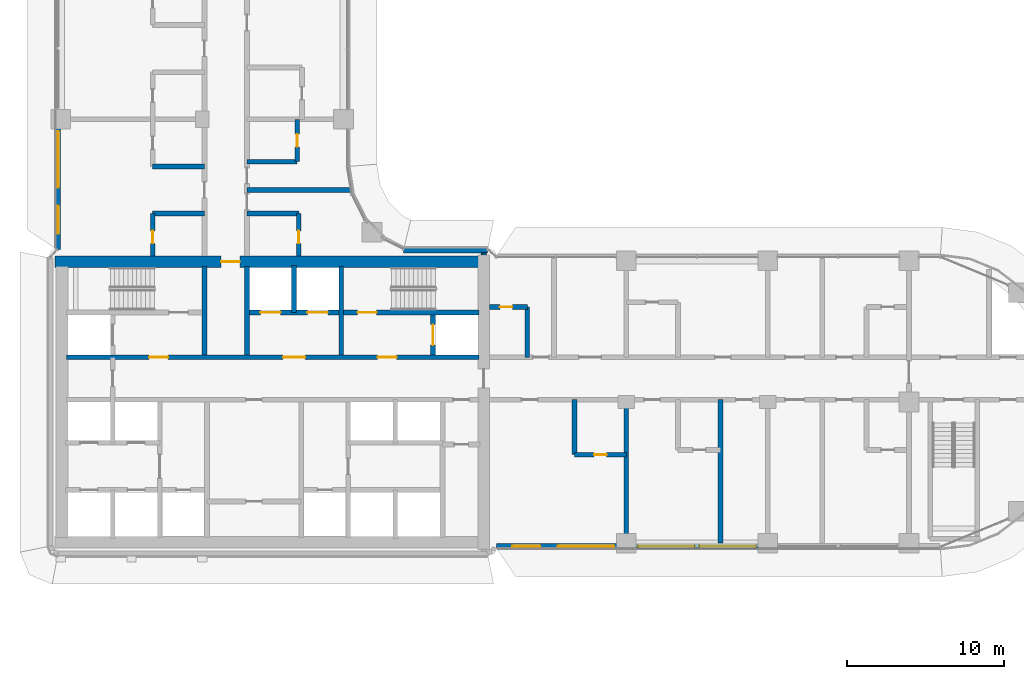
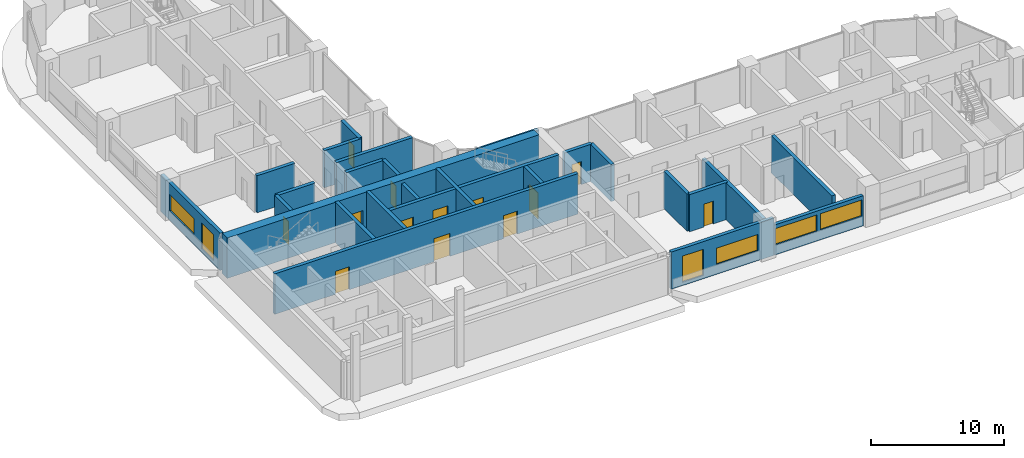
# One storey, part 16 of 33: 27 walls, 13 doors, 6 windows, 19 openings.
"""IFC4 building model written with IfcOpenShell, lengths in metres."""

from ifc_helpers import new_model, si_unit, direction, frame, frame_2d, origin, place, context, subcontext, project, spatial, rectangle, extrude, material, layer, layer_set, type_object, element, fill, save


model = new_model("IFC4")

# Units and contexts
model_context = context("Model", 3, precision=1e-05, world=origin(), true_north=direction((0.0, 1.0)))
body_context = subcontext(model_context, "Body", "Model", "MODEL_VIEW")
ifc_project = project(units=[si_unit("LENGTHUNIT", "METRE"), si_unit("AREAUNIT", "SQUARE_METRE"), si_unit("VOLUMEUNIT", "CUBIC_METRE"), si_unit("PLANEANGLEUNIT", "RADIAN"), si_unit("MASSUNIT", "GRAM", prefix="KILO")], contexts=[model_context])

# Site, building, storey
site_placement = place(None, origin())
site = spatial("IfcSite", under=ifc_project, at=site_placement, CompositionType="ELEMENT")
building_placement = place(site_placement, origin())
building = spatial("IfcBuilding", under=site, at=building_placement, Name="Ogive Portal Towers", CompositionType="ELEMENT")
storey_placement = place(building_placement, frame((0.0, 0.0, 98.199951171875)))
storey = spatial("IfcBuildingStorey", under=building, at=storey_placement, Name="L23", CompositionType="ELEMENT", Elevation=98.199951171875)

# Wall, openings, doors
ifc_material_1 = material(Name="Concrete C60/75", Category="concrete")
ifc_layer_1 = layer(ifc_material_1, 0.300048828125)
ifc_layer_set_1 = layer_set([ifc_layer_1], Name="CORE WALL 300 C60")
wall_type_1 = type_object("IfcWallType", Name="CORE WALL 300 C60", PredefinedType="SHEAR", material=ifc_layer_set_1)
wall_1_placement = place(storey_placement, frame((31.875, 33.35009765625, 0.0), z_axis=(0.0, 0.0, 1.0), x_axis=(1.0, 0.0, 0.0)))
wall_1 = element("IfcWall", 1, at=wall_1_placement, inside=storey, type_object=wall_type_1, Name="Core wall Y2 L23", PredefinedType="SHEAR", context=body_context, shape_type="SweptSolid", body=[
    extrude(rectangle(XDim=26.25, YDim=0.300048828125, at=frame_2d((13.125, 0.0))), origin(), (0.0, 0.0, 1.0), 3.699951171875),
])
opening_1_placement = place(wall_1_placement, frame((13.77490234375, 0.0, 0.0)))
opening_1 = element("IfcOpeningElement", 2, at=opening_1_placement, cuts=wall_1, Name="Opening D08-002", PredefinedType="OPENING", context=body_context, shape_type="SweptSolid", body=[
    extrude(rectangle(XDim=1.39990234375, YDim=2.10009765625, at=frame_2d((0.699951171875, 1.050048828125))), frame((0.0, 0.16015625, 0.0), z_axis=(0.0, -1.0, 0.0), x_axis=(1.0, 0.0, 0.0)), (0.0, 0.0, 1.0), 0.320068359375),
])
opening_2_placement = place(wall_1_placement, frame((5.25, 0.0, 0.0)))
opening_2 = element("IfcOpeningElement", 3, at=opening_2_placement, cuts=wall_1, Name="Opening D08-003", PredefinedType="OPENING", context=body_context, shape_type="SweptSolid", body=[
    extrude(rectangle(XDim=1.199951171875, YDim=2.10009765625, at=frame_2d((0.60009765625, 1.050048828125))), frame((0.0, 0.16015625, 0.0), z_axis=(0.0, -1.0, 0.0), x_axis=(1.0, 0.0, 0.0)), (0.0, 0.0, 1.0), 0.320068359375),
])
opening_3_placement = place(wall_1_placement, frame((19.800048828125, 0.0, 0.0)))
opening_3 = element("IfcOpeningElement", 4, at=opening_3_placement, cuts=wall_1, Name="Opening D08-004", PredefinedType="OPENING", context=body_context, shape_type="SweptSolid", body=[
    extrude(rectangle(XDim=1.199951171875, YDim=2.10009765625, at=frame_2d((0.60009765625, 1.050048828125))), frame((0.0, 0.16015625, 0.0), z_axis=(0.0, -1.0, 0.0), x_axis=(1.0, 0.0, 0.0)), (0.0, 0.0, 1.0), 0.320068359375),
])
ifc_material_2 = material(Name="Steel fire door", Category="steel")
door_type_1 = type_object("IfcDoorType", Name="DT-SWING-1200x2100-FD90S", OperationType="SINGLE_SWING_LEFT", PredefinedType="DOOR", material=ifc_material_2)
door_1_placement = place(opening_2_placement, origin())
door_1 = element("IfcDoor", 5, at=door_1_placement, inside=storey, type_object=door_type_1, Name="Door D08-003", OperationType="SINGLE_SWING_LEFT", OverallHeight=2.10009765625, OverallWidth=1.199951171875, PredefinedType="DOOR", context=body_context, shape_type="SweptSolid", body=[
    extrude(rectangle(XDim=1.199951171875, YDim=2.10009765625, at=frame_2d((0.60009765625, 1.050048828125))), frame((0.0, 0.02490234375, 0.0), z_axis=(0.0, -1.0, 0.0), x_axis=(1.0, 0.0, 0.0)), (0.0, 0.0, 1.0), 0.050048828125),
])
fill(opening_2, door_1)
door_2_placement = place(opening_3_placement, origin())
door_2 = element("IfcDoor", 6, at=door_2_placement, inside=storey, type_object=door_type_1, Name="Door D08-004", OperationType="SINGLE_SWING_RIGHT", OverallHeight=2.10009765625, OverallWidth=1.199951171875, PredefinedType="DOOR", context=body_context, shape_type="SweptSolid", body=[
    extrude(rectangle(XDim=1.199951171875, YDim=2.10009765625, at=frame_2d((0.60009765625, 1.050048828125))), frame((0.0, 0.02490234375, 0.0), z_axis=(0.0, -1.0, 0.0), x_axis=(1.0, 0.0, 0.0)), (0.0, 0.0, 1.0), 0.050048828125),
])
fill(opening_3, door_2)
door_type_2 = type_object("IfcDoorType", Name="DT-SWING-1400x2100-FD90S", OperationType="SINGLE_SWING_LEFT", PredefinedType="DOOR", material=ifc_material_2)
door_3_placement = place(opening_1_placement, origin())
door_3 = element("IfcDoor", 7, at=door_3_placement, inside=storey, type_object=door_type_2, Name="Door D08-002", OperationType="SINGLE_SWING_RIGHT", OverallHeight=2.10009765625, OverallWidth=1.39990234375, PredefinedType="DOOR", context=body_context, shape_type="SweptSolid", body=[
    extrude(rectangle(XDim=1.39990234375, YDim=2.10009765625, at=frame_2d((0.699951171875, 1.050048828125))), frame((0.0, 0.02490234375, 0.0), z_axis=(0.0, -1.0, 0.0), x_axis=(1.0, 0.0, 0.0)), (0.0, 0.0, 1.0), 0.050048828125),
])
fill(opening_1, door_3)

wall_2_placement = place(storey_placement, frame((43.5, 36.199951171875, 0.0), z_axis=(0.0, 0.0, 1.0), x_axis=(1.0, 0.0, 0.0)))
wall_2 = element("IfcWall", 8, at=wall_2_placement, inside=storey, type_object=wall_type_1, Name="Core wall Y3b L23", PredefinedType="SHEAR", context=body_context, shape_type="SweptSolid", body=[
    extrude(rectangle(XDim=14.625, YDim=0.300048828125, at=frame_2d((7.3125, 0.0))), origin(), (0.0, 0.0, 1.0), 3.699951171875),
])
opening_4_placement = place(wall_2_placement, frame((6.89990234375, 0.0, 0.0)))
opening_4 = element("IfcOpeningElement", 9, at=opening_4_placement, cuts=wall_2, Name="Opening D08-006", PredefinedType="OPENING", context=body_context, shape_type="SweptSolid", body=[
    extrude(rectangle(XDim=1.199951171875, YDim=2.10009765625, at=frame_2d((0.60009765625, 1.050048828125))), frame((0.0, 0.16015625, 0.0), z_axis=(0.0, -1.0, 0.0), x_axis=(1.0, 0.0, 0.0)), (0.0, 0.0, 1.0), 0.320068359375),
])
opening_5_placement = place(wall_2_placement, frame((0.699951171875, 0.0, 0.0)))
opening_5 = element("IfcOpeningElement", 10, at=opening_5_placement, cuts=wall_2, Name="Opening D08-017", PredefinedType="OPENING", context=body_context, shape_type="SweptSolid", body=[
    extrude(rectangle(XDim=1.300048828125, YDim=2.39990234375, at=frame_2d((0.64990234375, 1.199951171875))), frame((0.0, 0.16015625, 0.0), z_axis=(0.0, -1.0, 0.0), x_axis=(1.0, 0.0, 0.0)), (0.0, 0.0, 1.0), 0.320068359375),
])
opening_6_placement = place(wall_2_placement, frame((3.699951171875, 0.0, 0.0)))
opening_6 = element("IfcOpeningElement", 11, at=opening_6_placement, cuts=wall_2, Name="Opening D08-018", PredefinedType="OPENING", context=body_context, shape_type="SweptSolid", body=[
    extrude(rectangle(XDim=1.300048828125, YDim=2.39990234375, at=frame_2d((0.64990234375, 1.199951171875))), frame((0.0, 0.16015625, 0.0), z_axis=(0.0, -1.0, 0.0), x_axis=(1.0, 0.0, 0.0)), (0.0, 0.0, 1.0), 0.320068359375),
])
ifc_material_3 = material(Name="Stainless steel", Category="steel")
door_type_3 = type_object("IfcDoorType", Name="DT-LD-1300x2400", OperationType="SLIDING_TO_LEFT", PredefinedType="DOOR", material=ifc_material_3)
door_4_placement = place(opening_5_placement, origin())
door_4 = element("IfcDoor", 12, at=door_4_placement, inside=storey, type_object=door_type_3, Name="Door D08-017", OperationType="SLIDING_TO_LEFT", OverallHeight=2.39990234375, OverallWidth=1.300048828125, PredefinedType="DOOR", context=body_context, shape_type="SweptSolid", body=[
    extrude(rectangle(XDim=1.300048828125, YDim=2.39990234375, at=frame_2d((0.64990234375, 1.199951171875))), frame((0.0, 0.02490234375, 0.0), z_axis=(0.0, -1.0, 0.0), x_axis=(1.0, 0.0, 0.0)), (0.0, 0.0, 1.0), 0.050048828125),
])
fill(opening_5, door_4)
door_5_placement = place(opening_6_placement, origin())
door_5 = element("IfcDoor", 13, at=door_5_placement, inside=storey, type_object=door_type_3, Name="Door D08-018", OperationType="SLIDING_TO_LEFT", OverallHeight=2.39990234375, OverallWidth=1.300048828125, PredefinedType="DOOR", context=body_context, shape_type="SweptSolid", body=[
    extrude(rectangle(XDim=1.300048828125, YDim=2.39990234375, at=frame_2d((0.64990234375, 1.199951171875))), frame((0.0, 0.02490234375, 0.0), z_axis=(0.0, -1.0, 0.0), x_axis=(1.0, 0.0, 0.0)), (0.0, 0.0, 1.0), 0.050048828125),
])
fill(opening_6, door_5)
door_6_placement = place(opening_4_placement, origin())
door_6 = element("IfcDoor", 14, at=door_6_placement, inside=storey, type_object=door_type_1, Name="Door D08-006", OperationType="SINGLE_SWING_LEFT", OverallHeight=2.10009765625, OverallWidth=1.199951171875, PredefinedType="DOOR", context=body_context, shape_type="SweptSolid", body=[
    extrude(rectangle(XDim=1.199951171875, YDim=2.10009765625, at=frame_2d((0.60009765625, 1.050048828125))), frame((0.0, 0.02490234375, 0.0), z_axis=(0.0, -1.0, 0.0), x_axis=(1.0, 0.0, 0.0)), (0.0, 0.0, 1.0), 0.050048828125),
])
fill(opening_4, door_6)

# Walls
for number, where, z_axis, x_axis, name in (
    (15, (40.64990234375, 33.5, 0.0), (0.0, 0.0, 1.0), (0.0, 1.0, 0.0), "Core wall X6 L23"),
    (16, (43.35009765625, 33.5, 0.0), (0.0, 0.0, 1.0), (0.0, 1.0, 0.0), "Core wall X7 L23"),
    (17, (49.35009765625, 33.5, 0.0), (0.0, 0.0, 1.0), (0.0, 1.0, 0.0), "Core wall X9 L23"),
):
    element("IfcWall", number, at=place(storey_placement, frame(where, z_axis=z_axis, x_axis=x_axis)), inside=storey, type_object=wall_type_1, Name=name, PredefinedType="SHEAR", context=body_context, shape_type="SweptSolid", body=[
        extrude(rectangle(XDim=5.625, YDim=0.300048828125, at=frame_2d((2.8125, 0.0))), origin(), (0.0, 0.0, 1.0), 3.699951171875),
    ])

# Wall, opening, door
wall_3_placement = place(storey_placement, frame((55.199951171875, 33.5, 0.0), z_axis=(0.0, 0.0, 1.0), x_axis=(0.0, 1.0, 0.0)))
wall_3 = element("IfcWall", 18, at=wall_3_placement, inside=storey, type_object=wall_type_1, Name="Core wall X10 L23", PredefinedType="SHEAR", context=body_context, shape_type="SweptSolid", body=[
    extrude(rectangle(XDim=2.550048828125, YDim=0.300048828125, at=frame_2d((1.27490234375, 0.0))), origin(), (0.0, 0.0, 1.0), 3.699951171875),
])
opening_7_placement = place(wall_3_placement, frame((0.625, 0.0, 0.0)))
opening_7 = element("IfcOpeningElement", 19, at=opening_7_placement, cuts=wall_3, Name="Opening D08-020", PredefinedType="OPENING", context=body_context, shape_type="SweptSolid", body=[
    extrude(rectangle(XDim=1.300048828125, YDim=2.39990234375, at=frame_2d((0.64990234375, 1.199951171875))), frame((0.0, 0.16015625, 0.0), z_axis=(0.0, -1.0, 0.0), x_axis=(1.0, 0.0, 0.0)), (0.0, 0.0, 1.0), 0.320068359375),
])
door_7_placement = place(opening_7_placement, origin())
door_7 = element("IfcDoor", 20, at=door_7_placement, inside=storey, type_object=door_type_3, Name="Door D08-020", OperationType="SLIDING_TO_LEFT", OverallHeight=2.39990234375, OverallWidth=1.300048828125, PredefinedType="DOOR", context=body_context, shape_type="SweptSolid", body=[
    extrude(rectangle(XDim=1.300048828125, YDim=2.39990234375, at=frame_2d((0.64990234375, 1.199951171875))), frame((0.0, 0.02490234375, 0.0), z_axis=(0.0, -1.0, 0.0), x_axis=(1.0, 0.0, 0.0)), (0.0, 0.0, 1.0), 0.050048828125),
])
fill(opening_7, door_7)

ifc_layer_2 = layer(ifc_material_1, 0.75)
ifc_layer_set_2 = layer_set([ifc_layer_2], Name="CORE WALL 750 C60")
wall_type_2 = type_object("IfcWallType", Name="CORE WALL 750 C60", PredefinedType="SHEAR", material=ifc_layer_set_2)
wall_4_placement = place(storey_placement, frame((31.125, 39.425048828125, 0.0), z_axis=(0.0, 0.0, 1.0), x_axis=(1.0, 0.0, 0.0)))
wall_4 = element("IfcWall", 21, at=wall_4_placement, inside=storey, type_object=wall_type_2, Name="Core wall N L23", PredefinedType="SHEAR", context=body_context, shape_type="SweptSolid", body=[
    extrude(rectangle(XDim=27.0, YDim=0.75, at=frame_2d((13.5, 0.0))), origin(), (0.0, 0.0, 1.0), 3.699951171875),
])
opening_8_placement = place(wall_4_placement, frame((10.574951171875, 0.0, 0.0)))
opening_8 = element("IfcOpeningElement", 22, at=opening_8_placement, cuts=wall_4, Name="Opening D08-012", PredefinedType="OPENING", context=body_context, shape_type="SweptSolid", body=[
    extrude(rectangle(XDim=1.199951171875, YDim=2.10009765625, at=frame_2d((0.60009765625, 1.050048828125))), frame((0.0, 0.385009765625, 0.0), z_axis=(0.0, -1.0, 0.0), x_axis=(1.0, 0.0, 0.0)), (0.0, 0.0, 1.0), 0.77001953125),
])
door_8_placement = place(opening_8_placement, origin())
door_8 = element("IfcDoor", 23, at=door_8_placement, inside=storey, type_object=door_type_1, Name="Door D08-012", OperationType="SINGLE_SWING_RIGHT", OverallHeight=2.10009765625, OverallWidth=1.199951171875, PredefinedType="DOOR", context=body_context, shape_type="SweptSolid", body=[
    extrude(rectangle(XDim=1.199951171875, YDim=2.10009765625, at=frame_2d((0.60009765625, 1.050048828125))), frame((0.0, 0.02490234375, 0.0), z_axis=(0.0, -1.0, 0.0), x_axis=(1.0, 0.0, 0.0)), (0.0, 0.0, 1.0), 0.050048828125),
])
fill(opening_8, door_8)

# Wall
ifc_material_4 = material(Name="Limestone cladding on lightweight block wall", Category="masonry")
ifc_layer_3 = layer(ifc_material_4, 0.300048828125)
ifc_layer_set_3 = layer_set([ifc_layer_3], Name="EXTERNAL WALL 300 STONE")
wall_type_3 = type_object("IfcWallType", Name="EXTERNAL WALL 300 STONE", PredefinedType="SOLIDWALL", material=ifc_layer_set_3)
wall_5_placement = place(storey_placement, frame((58.669921875, 40.14990234375, 0.0), z_axis=(0.0, 0.0, 1.0), x_axis=(-1.0, 0.0, 0.0)))
element("IfcWall", 24, at=wall_5_placement, inside=storey, type_object=wall_type_3, Name="A:L23:f01:r0:wall", PredefinedType="SOLIDWALL", context=body_context, shape_type="SweptSolid", body=[
    extrude(rectangle(XDim=5.3408203125, YDim=0.300048828125, at=frame_2d((2.67041015625, 0.0))), origin(), (0.0, 0.0, 1.0), 3.400146484375),
])

# Wall, openings, windows
wall_6_placement = place(storey_placement, frame((31.330078125, 49.125, 0.0), z_axis=(0.0, 0.0, 1.0), x_axis=(0.0, -1.0, 0.0)))
wall_6 = element("IfcWall", 25, at=wall_6_placement, inside=storey, type_object=wall_type_3, Name="A:L23:f12:r0:wall4", PredefinedType="SOLIDWALL", context=body_context, shape_type="SweptSolid", body=[
    extrude(rectangle(XDim=8.90478515625, YDim=0.300048828125, at=frame_2d((4.452392578125, 0.0))), origin(), (0.0, 0.0, 1.0), 3.400146484375),
])
opening_9_placement = place(wall_6_placement, frame((1.375, 0.0, 0.89990234375)))
opening_9 = element("IfcOpeningElement", 26, at=opening_9_placement, cuts=wall_6, Name="Opening WN12", PredefinedType="OPENING", context=body_context, shape_type="SweptSolid", body=[
    extrude(rectangle(XDim=3.60009765625, YDim=1.5, at=frame_2d((1.800048828125, 0.75))), frame((0.0, 0.16015625, 0.0), z_axis=(0.0, -1.0, 0.0), x_axis=(1.0, 0.0, 0.0)), (0.0, 0.0, 1.0), 0.320068359375),
])
opening_10_placement = place(wall_6_placement, frame((6.11474609375, 0.0, 0.300048828125)))
opening_10 = element("IfcOpeningElement", 27, at=opening_10_placement, cuts=wall_6, Name="Opening WN10", PredefinedType="OPENING", context=body_context, shape_type="SweptSolid", body=[
    extrude(rectangle(XDim=1.800048828125, YDim=2.39990234375, at=frame_2d((0.89990234375, 1.199951171875))), frame((0.0, 0.16015625, 0.0), z_axis=(0.0, -1.0, 0.0), x_axis=(1.0, 0.0, 0.0)), (0.0, 0.0, 1.0), 0.320068359375),
])
ifc_material_5 = material(Name="Glass, clear low-iron insulated glazing", Category="glass")
window_type_1 = type_object("IfcWindowType", Name="WINDOW RIBBON 3600x1500", PartitioningType="TRIPLE_PANEL_VERTICAL", PredefinedType="WINDOW", material=ifc_material_5)
window_1_placement = place(opening_9_placement, origin())
window_1 = element("IfcWindow", 28, at=window_1_placement, inside=storey, type_object=window_type_1, Name="A:L23:f12:r0:w4", OverallHeight=1.5, OverallWidth=3.60009765625, PartitioningType="SINGLE_PANEL", PredefinedType="WINDOW", context=body_context, shape_type="SweptSolid", body=[
    extrude(rectangle(XDim=3.60009765625, YDim=1.5, at=frame_2d((1.800048828125, 0.75))), frame((0.0, 0.030029296875, 0.0), z_axis=(0.0, -1.0, 0.0), x_axis=(1.0, 0.0, 0.0)), (0.0, 0.0, 1.0), 0.06005859375),
])
fill(opening_9, window_1)
window_type_2 = type_object("IfcWindowType", Name="WINDOW SUITE CORNER 1800x2400", PartitioningType="DOUBLE_PANEL_VERTICAL", PredefinedType="WINDOW", material=ifc_material_5)
window_2_placement = place(opening_10_placement, origin())
window_2 = element("IfcWindow", 29, at=window_2_placement, inside=storey, type_object=window_type_2, Name="A:L23:f12:r0:w5", OverallHeight=2.39990234375, OverallWidth=1.800048828125, PartitioningType="SINGLE_PANEL", PredefinedType="WINDOW", context=body_context, shape_type="SweptSolid", body=[
    extrude(rectangle(XDim=1.800048828125, YDim=2.39990234375, at=frame_2d((0.89990234375, 1.199951171875))), frame((0.0, 0.030029296875, 0.0), z_axis=(0.0, -1.0, 0.0), x_axis=(1.0, 0.0, 0.0)), (0.0, 0.0, 1.0), 0.06005859375),
])
fill(opening_10, window_2)

wall_7_placement = place(storey_placement, frame((59.250244140625, 21.330078125, 0.0), z_axis=(0.0, 0.0, 1.0), x_axis=(1.0, 0.0, 0.0)))
wall_7 = element("IfcWall", 30, at=wall_7_placement, inside=storey, type_object=wall_type_3, Name="A:L23:f20:r0:wall", PredefinedType="SOLIDWALL", context=body_context, shape_type="SweptSolid", body=[
    extrude(rectangle(XDim=8.874755859375, YDim=0.300048828125, at=frame_2d((4.4375, 0.0))), origin(), (0.0, 0.0, 1.0), 3.400146484375),
])
opening_11_placement = place(wall_7_placement, frame((0.974853515625, 0.0, 0.300048828125)))
opening_11 = element("IfcOpeningElement", 31, at=opening_11_placement, cuts=wall_7, Name="Opening WN10", PredefinedType="OPENING", context=body_context, shape_type="SweptSolid", body=[
    extrude(rectangle(XDim=1.800048828125, YDim=2.39990234375, at=frame_2d((0.89990234375, 1.199951171875))), frame((0.0, 0.16015625, 0.0), z_axis=(0.0, -1.0, 0.0), x_axis=(1.0, 0.0, 0.0)), (0.0, 0.0, 1.0), 0.320068359375),
])
opening_12_placement = place(wall_7_placement, frame((3.899658203125, 0.0, 0.89990234375)))
opening_12 = element("IfcOpeningElement", 32, at=opening_12_placement, cuts=wall_7, Name="Opening WN12", PredefinedType="OPENING", context=body_context, shape_type="SweptSolid", body=[
    extrude(rectangle(XDim=3.60009765625, YDim=1.5, at=frame_2d((1.800048828125, 0.75))), frame((0.0, 0.16015625, 0.0), z_axis=(0.0, -1.0, 0.0), x_axis=(1.0, 0.0, 0.0)), (0.0, 0.0, 1.0), 0.320068359375),
])
window_3_placement = place(opening_12_placement, origin())
window_3 = element("IfcWindow", 33, at=window_3_placement, inside=storey, type_object=window_type_1, Name="A:L23:f20:r0:w1", OverallHeight=1.5, OverallWidth=3.60009765625, PartitioningType="SINGLE_PANEL", PredefinedType="WINDOW", context=body_context, shape_type="SweptSolid", body=[
    extrude(rectangle(XDim=3.60009765625, YDim=1.5, at=frame_2d((1.800048828125, 0.75))), frame((0.0, 0.030029296875, 0.0), z_axis=(0.0, -1.0, 0.0), x_axis=(1.0, 0.0, 0.0)), (0.0, 0.0, 1.0), 0.06005859375),
])
fill(opening_12, window_3)
window_4_placement = place(opening_11_placement, origin())
window_4 = element("IfcWindow", 34, at=window_4_placement, inside=storey, type_object=window_type_2, Name="A:L23:f20:r0:w0", OverallHeight=2.39990234375, OverallWidth=1.800048828125, PartitioningType="SINGLE_PANEL", PredefinedType="WINDOW", context=body_context, shape_type="SweptSolid", body=[
    extrude(rectangle(XDim=1.800048828125, YDim=2.39990234375, at=frame_2d((0.89990234375, 1.199951171875))), frame((0.0, 0.030029296875, 0.0), z_axis=(0.0, -1.0, 0.0), x_axis=(1.0, 0.0, 0.0)), (0.0, 0.0, 1.0), 0.06005859375),
])
fill(opening_11, window_4)

wall_8_placement = place(storey_placement, frame((68.125, 21.330078125, 0.0), z_axis=(0.0, 0.0, 1.0), x_axis=(1.0, 0.0, 0.0)))
wall_8 = element("IfcWall", 35, at=wall_8_placement, inside=storey, type_object=wall_type_3, Name="A:L23:f20:r0:wall1", PredefinedType="SOLIDWALL", context=body_context, shape_type="SweptSolid", body=[
    extrude(rectangle(XDim=7.75, YDim=0.300048828125, at=frame_2d((3.875, 0.0))), origin(), (0.0, 0.0, 1.0), 2.75),
])
opening_13_placement = place(wall_8_placement, frame((0.125, 0.0, 0.89990234375)))
opening_13 = element("IfcOpeningElement", 36, at=opening_13_placement, cuts=wall_8, Name="Opening WN12", PredefinedType="OPENING", context=body_context, shape_type="SweptSolid", body=[
    extrude(rectangle(XDim=3.60009765625, YDim=1.5, at=frame_2d((1.800048828125, 0.75))), frame((0.0, 0.16015625, 0.0), z_axis=(0.0, -1.0, 0.0), x_axis=(1.0, 0.0, 0.0)), (0.0, 0.0, 1.0), 0.320068359375),
])
opening_14_placement = place(wall_8_placement, frame((4.02490234375, 0.0, 0.89990234375)))
opening_14 = element("IfcOpeningElement", 37, at=opening_14_placement, cuts=wall_8, Name="Opening WN12", PredefinedType="OPENING", context=body_context, shape_type="SweptSolid", body=[
    extrude(rectangle(XDim=3.60009765625, YDim=1.5, at=frame_2d((1.800048828125, 0.75))), frame((0.0, 0.16015625, 0.0), z_axis=(0.0, -1.0, 0.0), x_axis=(1.0, 0.0, 0.0)), (0.0, 0.0, 1.0), 0.320068359375),
])
window_5_placement = place(opening_13_placement, origin())
window_5 = element("IfcWindow", 38, at=window_5_placement, inside=storey, type_object=window_type_1, Name="A:L23:f20:r0:w2", OverallHeight=1.5, OverallWidth=3.60009765625, PartitioningType="SINGLE_PANEL", PredefinedType="WINDOW", context=body_context, shape_type="SweptSolid", body=[
    extrude(rectangle(XDim=3.60009765625, YDim=1.5, at=frame_2d((1.800048828125, 0.75))), frame((0.0, 0.030029296875, 0.0), z_axis=(0.0, -1.0, 0.0), x_axis=(1.0, 0.0, 0.0)), (0.0, 0.0, 1.0), 0.06005859375),
])
fill(opening_13, window_5)
window_6_placement = place(opening_14_placement, origin())
window_6 = element("IfcWindow", 39, at=window_6_placement, inside=storey, type_object=window_type_1, Name="A:L23:f20:r0:w3", OverallHeight=1.5, OverallWidth=3.60009765625, PartitioningType="SINGLE_PANEL", PredefinedType="WINDOW", context=body_context, shape_type="SweptSolid", body=[
    extrude(rectangle(XDim=3.60009765625, YDim=1.5, at=frame_2d((1.800048828125, 0.75))), frame((0.0, 0.030029296875, 0.0), z_axis=(0.0, -1.0, 0.0), x_axis=(1.0, 0.0, 0.0)), (0.0, 0.0, 1.0), 0.06005859375),
])
fill(opening_14, window_6)

# Wall
ifc_material_6 = material(Name="Gypsum board partition on steel studs", Category="steel")
ifc_layer_4 = layer(ifc_material_6, 0.300048828125)
ifc_layer_set_4 = layer_set([ifc_layer_4], Name="WT-PART-300-EI 120")
wall_type_4 = type_object("IfcWallType", Name="WT-PART-300-EI 120", PredefinedType="PARTITIONING", material=ifc_layer_set_4)
wall_9_placement = place(storey_placement, frame((58.425048828125, 39.875, 0.0), z_axis=(0.0, 0.0, 1.0), x_axis=(0.0, 1.0, 0.0)))
element("IfcWall", 40, at=wall_9_placement, inside=storey, type_object=wall_type_4, Name="Wall L23:wc02", PredefinedType="PARTITIONING", context=body_context, shape_type="SweptSolid", body=[
    extrude(rectangle(XDim=0.114990234375, YDim=0.300048828125, at=frame_2d((0.0576171875, 0.0))), origin(), (0.0, 0.0, 1.0), 3.400146484375),
])

# Wall, opening, door
ifc_layer_5 = layer(ifc_material_6, 0.300048828125)
ifc_layer_set_5 = layer_set([ifc_layer_5], Name="WT-PART-300-EI 60")
wall_type_5 = type_object("IfcWallType", Name="WT-PART-300-EI 60", PredefinedType="PARTITIONING", material=ifc_layer_set_5)
wall_10_placement = place(storey_placement, frame((64.199951171875, 27.14990234375, 0.0), z_axis=(0.0, 0.0, 1.0), x_axis=(1.0, 0.0, 0.0)))
wall_10 = element("IfcWall", 41, at=wall_10_placement, inside=storey, type_object=wall_type_5, Name="Wall L23:w002", PredefinedType="PARTITIONING", context=body_context, shape_type="SweptSolid", body=[
    extrude(rectangle(XDim=3.300048828125, YDim=0.300048828125, at=frame_2d((1.64990234375, 0.0))), origin(), (0.0, 0.0, 1.0), 3.400146484375),
])
opening_15_placement = place(wall_10_placement, frame((1.25, 0.0, 0.0)))
opening_15 = element("IfcOpeningElement", 42, at=opening_15_placement, cuts=wall_10, Name="Opening D08-028", PredefinedType="OPENING", context=body_context, shape_type="SweptSolid", body=[
    extrude(rectangle(XDim=0.800048828125, YDim=2.10009765625, at=frame_2d((0.39990234375, 1.050048828125))), frame((0.0, 0.16015625, 0.0), z_axis=(0.0, -1.0, 0.0), x_axis=(1.0, 0.0, 0.0)), (0.0, 0.0, 1.0), 0.320068359375),
])
door_type_4 = type_object("IfcDoorType", Name="DT-BATH-800x2100-FD60S", OperationType="SINGLE_SWING_LEFT", PredefinedType="DOOR", material=ifc_material_2)
door_9_placement = place(opening_15_placement, origin())
door_9 = element("IfcDoor", 43, at=door_9_placement, inside=storey, type_object=door_type_4, Name="Door D08-028", OperationType="SINGLE_SWING_LEFT", OverallHeight=2.10009765625, OverallWidth=0.800048828125, PredefinedType="DOOR", context=body_context, shape_type="SweptSolid", body=[
    extrude(rectangle(XDim=0.800048828125, YDim=2.10009765625, at=frame_2d((0.39990234375, 1.050048828125))), frame((0.0, 0.02490234375, 0.0), z_axis=(0.0, -1.0, 0.0), x_axis=(1.0, 0.0, 0.0)), (0.0, 0.0, 1.0), 0.050048828125),
])
fill(opening_15, door_9)

wall_11_placement = place(storey_placement, frame((58.800048828125, 36.550048828125, 0.0), z_axis=(0.0, 0.0, 1.0), x_axis=(1.0, 0.0, 0.0)))
wall_11 = element("IfcWall", 44, at=wall_11_placement, inside=storey, type_object=wall_type_5, Name="Wall L23:w009", PredefinedType="PARTITIONING", context=body_context, shape_type="SweptSolid", body=[
    extrude(rectangle(XDim=2.39990234375, YDim=0.300048828125, at=frame_2d((1.199951171875, 0.0))), origin(), (0.0, 0.0, 1.0), 3.400146484375),
])
opening_16_placement = place(wall_11_placement, frame((0.64990234375, 0.0, 0.0)))
opening_16 = element("IfcOpeningElement", 45, at=opening_16_placement, cuts=wall_11, Name="Opening D08-025", PredefinedType="OPENING", context=body_context, shape_type="SweptSolid", body=[
    extrude(rectangle(XDim=0.800048828125, YDim=2.10009765625, at=frame_2d((0.39990234375, 1.050048828125))), frame((0.0, 0.16015625, 0.0), z_axis=(0.0, -1.0, 0.0), x_axis=(1.0, 0.0, 0.0)), (0.0, 0.0, 1.0), 0.320068359375),
])
door_10_placement = place(opening_16_placement, origin())
door_10 = element("IfcDoor", 46, at=door_10_placement, inside=storey, type_object=door_type_4, Name="Door D08-025", OperationType="SINGLE_SWING_LEFT", OverallHeight=2.10009765625, OverallWidth=0.800048828125, PredefinedType="DOOR", context=body_context, shape_type="SweptSolid", body=[
    extrude(rectangle(XDim=0.800048828125, YDim=2.10009765625, at=frame_2d((0.39990234375, 1.050048828125))), frame((0.0, 0.02490234375, 0.0), z_axis=(0.0, -1.0, 0.0), x_axis=(1.0, 0.0, 0.0)), (0.0, 0.0, 1.0), 0.050048828125),
])
fill(opening_16, door_10)

# Walls
for number, where, z_axis, x_axis, name in (
    (47, (37.35009765625, 42.5, 0.0), (0.0, 0.0, 1.0), (1.0, 0.0, 0.0), "Wall L23:w012"),
    (48, (43.35009765625, 42.5, 0.0), (0.0, 0.0, 1.0), (1.0, 0.0, 0.0), "Wall L23:w013"),
):
    element("IfcWall", number, at=place(storey_placement, frame(where, z_axis=z_axis, x_axis=x_axis)), inside=storey, type_object=wall_type_5, Name=name, PredefinedType="PARTITIONING", context=body_context, shape_type="SweptSolid", body=[
        extrude(rectangle(XDim=3.2998046875, YDim=0.300048828125, at=frame_2d((1.64990234375, 0.0))), origin(), (0.0, 0.0, 1.0), 3.400146484375),
    ])
wall_12_placement = place(storey_placement, frame((43.35009765625, 44.0, 0.0), z_axis=(0.0, 0.0, 1.0), x_axis=(1.0, 0.0, 0.0)))
element("IfcWall", 49, at=wall_12_placement, inside=storey, type_object=wall_type_5, Name="Wall L23:w014", PredefinedType="PARTITIONING", context=body_context, shape_type="SweptSolid", body=[
    extrude(rectangle(XDim=6.595947265625, YDim=0.300048828125, at=frame_2d((3.2978515625, 0.0))), origin(), (0.0, 0.0, 1.0), 3.400146484375),
])
wall_13_placement = place(storey_placement, frame((37.35009765625, 45.5, 0.0), z_axis=(0.0, 0.0, 1.0), x_axis=(1.0, 0.0, 0.0)))
element("IfcWall", 50, at=wall_13_placement, inside=storey, type_object=wall_type_5, Name="Wall L23:w015", PredefinedType="PARTITIONING", context=body_context, shape_type="SweptSolid", body=[
    extrude(rectangle(XDim=3.2998046875, YDim=0.300048828125, at=frame_2d((1.64990234375, 0.0))), origin(), (0.0, 0.0, 1.0), 3.400146484375),
])
wall_14_placement = place(storey_placement, frame((43.35009765625, 45.800048828125, 0.0), z_axis=(0.0, 0.0, 1.0), x_axis=(1.0, 0.0, 0.0)))
element("IfcWall", 51, at=wall_14_placement, inside=storey, type_object=wall_type_5, Name="Wall L23:w016", PredefinedType="PARTITIONING", context=body_context, shape_type="SweptSolid", body=[
    extrude(rectangle(XDim=3.199951171875, YDim=0.300048828125, at=frame_2d((1.60009765625, 0.0))), origin(), (0.0, 0.0, 1.0), 3.400146484375),
])

# Wall, opening, door
wall_15_placement = place(storey_placement, frame((37.35009765625, 39.800048828125, 0.0), z_axis=(0.0, 0.0, 1.0), x_axis=(0.0, 1.0, 0.0)))
wall_15 = element("IfcWall", 52, at=wall_15_placement, inside=storey, type_object=wall_type_5, Name="Wall L23:w030", PredefinedType="PARTITIONING", context=body_context, shape_type="SweptSolid", body=[
    extrude(rectangle(XDim=2.699951171875, YDim=0.300048828125, at=frame_2d((1.35009765625, 0.0))), origin(), (0.0, 0.0, 1.0), 3.400146484375),
])
opening_17_placement = place(wall_15_placement, frame((0.800048828125, 0.0, 0.0)))
opening_17 = element("IfcOpeningElement", 53, at=opening_17_placement, cuts=wall_15, Name="Opening D08-045", PredefinedType="OPENING", context=body_context, shape_type="SweptSolid", body=[
    extrude(rectangle(XDim=0.800048828125, YDim=2.10009765625, at=frame_2d((0.39990234375, 1.050048828125))), frame((0.0, 0.16015625, 0.0), z_axis=(0.0, -1.0, 0.0), x_axis=(1.0, 0.0, 0.0)), (0.0, 0.0, 1.0), 0.320068359375),
])
door_11_placement = place(opening_17_placement, origin())
door_11 = element("IfcDoor", 54, at=door_11_placement, inside=storey, type_object=door_type_4, Name="Door D08-045", OperationType="SINGLE_SWING_LEFT", OverallHeight=2.10009765625, OverallWidth=0.800048828125, PredefinedType="DOOR", context=body_context, shape_type="SweptSolid", body=[
    extrude(rectangle(XDim=0.800048828125, YDim=2.10009765625, at=frame_2d((0.39990234375, 1.050048828125))), frame((0.0, 0.02490234375, 0.0), z_axis=(0.0, -1.0, 0.0), x_axis=(1.0, 0.0, 0.0)), (0.0, 0.0, 1.0), 0.050048828125),
])
fill(opening_17, door_11)

wall_16_placement = place(storey_placement, frame((46.550048828125, 45.800048828125, 0.0), z_axis=(0.0, 0.0, 1.0), x_axis=(0.0, 1.0, 0.0)))
wall_16 = element("IfcWall", 55, at=wall_16_placement, inside=storey, type_object=wall_type_5, Name="Wall L23:w038", PredefinedType="PARTITIONING", context=body_context, shape_type="SweptSolid", body=[
    extrude(rectangle(XDim=2.699951171875, YDim=0.300048828125, at=frame_2d((1.35009765625, 0.0))), origin(), (0.0, 0.0, 1.0), 3.400146484375),
])
opening_18_placement = place(wall_16_placement, frame((0.949951171875, 0.0, 0.0)))
opening_18 = element("IfcOpeningElement", 56, at=opening_18_placement, cuts=wall_16, Name="Opening D08-043", PredefinedType="OPENING", context=body_context, shape_type="SweptSolid", body=[
    extrude(rectangle(XDim=0.800048828125, YDim=2.10009765625, at=frame_2d((0.39990234375, 1.050048828125))), frame((0.0, 0.16015625, 0.0), z_axis=(0.0, -1.0, 0.0), x_axis=(1.0, 0.0, 0.0)), (0.0, 0.0, 1.0), 0.320068359375),
])
door_12_placement = place(opening_18_placement, origin())
door_12 = element("IfcDoor", 57, at=door_12_placement, inside=storey, type_object=door_type_4, Name="Door D08-043", OperationType="SINGLE_SWING_LEFT", OverallHeight=2.10009765625, OverallWidth=0.800048828125, PredefinedType="DOOR", context=body_context, shape_type="SweptSolid", body=[
    extrude(rectangle(XDim=0.800048828125, YDim=2.10009765625, at=frame_2d((0.39990234375, 1.050048828125))), frame((0.0, 0.02490234375, 0.0), z_axis=(0.0, -1.0, 0.0), x_axis=(1.0, 0.0, 0.0)), (0.0, 0.0, 1.0), 0.050048828125),
])
fill(opening_18, door_12)

wall_17_placement = place(storey_placement, frame((46.64990234375, 39.800048828125, 0.0), z_axis=(0.0, 0.0, 1.0), x_axis=(0.0, 1.0, 0.0)))
wall_17 = element("IfcWall", 58, at=wall_17_placement, inside=storey, type_object=wall_type_5, Name="Wall L23:w039", PredefinedType="PARTITIONING", context=body_context, shape_type="SweptSolid", body=[
    extrude(rectangle(XDim=2.699951171875, YDim=0.300048828125, at=frame_2d((1.35009765625, 0.0))), origin(), (0.0, 0.0, 1.0), 3.400146484375),
])
opening_19_placement = place(wall_17_placement, frame((0.800048828125, 0.0, 0.0)))
opening_19 = element("IfcOpeningElement", 59, at=opening_19_placement, cuts=wall_17, Name="Opening D08-041", PredefinedType="OPENING", context=body_context, shape_type="SweptSolid", body=[
    extrude(rectangle(XDim=0.800048828125, YDim=2.10009765625, at=frame_2d((0.39990234375, 1.050048828125))), frame((0.0, 0.16015625, 0.0), z_axis=(0.0, -1.0, 0.0), x_axis=(1.0, 0.0, 0.0)), (0.0, 0.0, 1.0), 0.320068359375),
])
door_13_placement = place(opening_19_placement, origin())
door_13 = element("IfcDoor", 60, at=door_13_placement, inside=storey, type_object=door_type_4, Name="Door D08-041", OperationType="SINGLE_SWING_RIGHT", OverallHeight=2.10009765625, OverallWidth=0.800048828125, PredefinedType="DOOR", context=body_context, shape_type="SweptSolid", body=[
    extrude(rectangle(XDim=0.800048828125, YDim=2.10009765625, at=frame_2d((0.39990234375, 1.050048828125))), frame((0.0, 0.02490234375, 0.0), z_axis=(0.0, -1.0, 0.0), x_axis=(1.0, 0.0, 0.0)), (0.0, 0.0, 1.0), 0.050048828125),
])
fill(opening_19, door_13)

# Walls
wall_18_placement = place(storey_placement, frame((61.199951171875, 33.35009765625, 0.0), z_axis=(0.0, 0.0, 1.0), x_axis=(0.0, 1.0, 0.0)))
element("IfcWall", 61, at=wall_18_placement, inside=storey, type_object=wall_type_5, Name="Wall L23:w042", PredefinedType="PARTITIONING", context=body_context, shape_type="SweptSolid", body=[
    extrude(rectangle(XDim=3.199951171875, YDim=0.300048828125, at=frame_2d((1.60009765625, 0.0))), origin(), (0.0, 0.0, 1.0), 3.400146484375),
])
wall_19_placement = place(storey_placement, frame((64.199951171875, 27.14990234375, 0.0), z_axis=(0.0, 0.0, 1.0), x_axis=(0.0, 1.0, 0.0)))
element("IfcWall", 62, at=wall_19_placement, inside=storey, type_object=wall_type_5, Name="Wall L23:w044", PredefinedType="PARTITIONING", context=body_context, shape_type="SweptSolid", body=[
    extrude(rectangle(XDim=3.5, YDim=0.300048828125, at=frame_2d((1.75, 0.0))), origin(), (0.0, 0.0, 1.0), 3.400146484375),
])
for number, where, z_axis, x_axis, name in (
    (63, (67.5, 21.530029296875, 0.0), (0.0, 0.0, 1.0), (0.0, 1.0, 0.0), "Wall L23:w045"),
    (64, (73.5, 21.530029296875, 0.0), (0.0, 0.0, 1.0), (0.0, 1.0, 0.0), "Wall L23:w049"),
):
    element("IfcWall", number, at=place(storey_placement, frame(where, z_axis=z_axis, x_axis=x_axis)), inside=storey, type_object=wall_type_5, Name=name, PredefinedType="PARTITIONING", context=body_context, shape_type="SweptSolid", body=[
        extrude(rectangle(XDim=9.119873046875, YDim=0.300048828125, at=frame_2d((4.56005859375, 0.0))), origin(), (0.0, 0.0, 1.0), 3.400146484375),
    ])
ifc_material_7 = material(Name="Concrete C40/50", Category="concrete")
ifc_layer_6 = layer(ifc_material_7, 0.300048828125)
ifc_layer_set_6 = layer_set([ifc_layer_6], Name="WT-SHAFT-300")
wall_type_6 = type_object("IfcWallType", Name="WT-SHAFT-300", PredefinedType="SOLIDWALL", material=ifc_layer_set_6)
wall_20_placement = place(storey_placement, frame((46.35009765625, 36.199951171875, 0.0), z_axis=(0.0, 0.0, 1.0), x_axis=(0.0, 1.0, 0.0)))
element("IfcWall", 65, at=wall_20_placement, inside=storey, type_object=wall_type_6, Name="Wall pw:009:L23", PredefinedType="SOLIDWALL", context=body_context, shape_type="SweptSolid", body=[
    extrude(rectangle(XDim=3.0, YDim=0.300048828125, at=frame_2d((1.5, 0.0))), origin(), (0.0, 0.0, 1.0), 3.400146484375),
])

save(model, "model.ifc")
